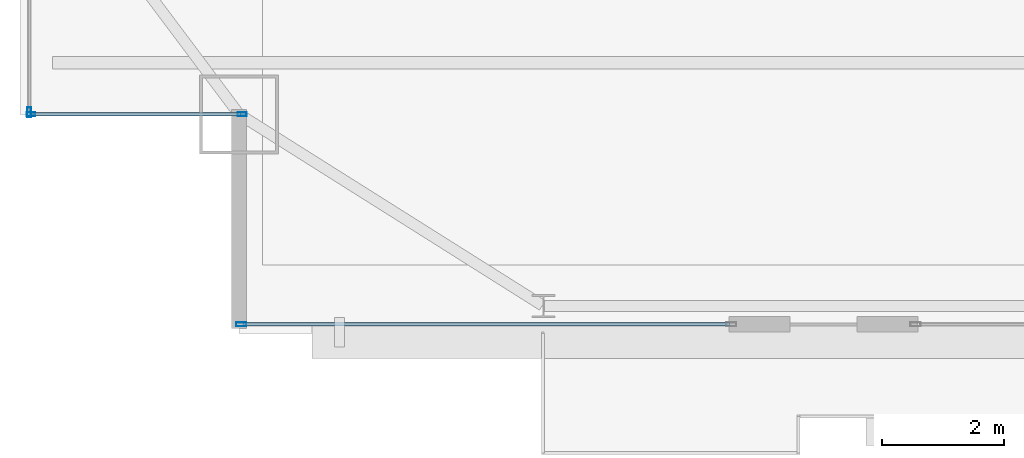
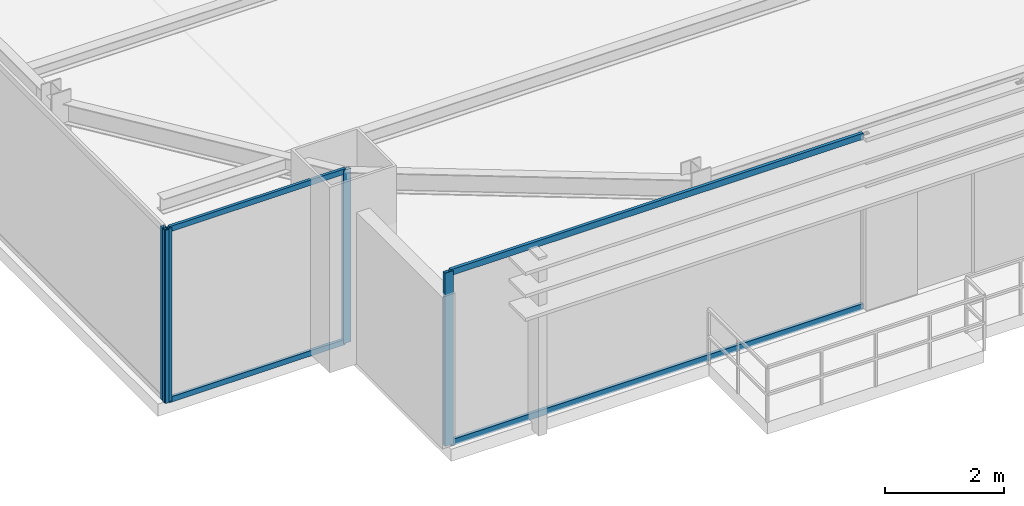
# One storey, part 4 of 31: 8 members, 3 elements without a shape of their own.
"""IFC4 building model written with IfcOpenShell, lengths in metres."""

from ifc_helpers import new_model, si_unit, direction, frame, origin, origin_2d, place, context, subcontext, project, spatial, hollow_rectangle, extrude, source, transform, mapped, material, layer, layer_set, material_profile, profile_set, type_object, type_shapes, element, aggregate, save


model = new_model("IFC4")

# Units and contexts
model_context = context("Model", 3, precision=1e-05, world=origin(), true_north=direction((0.0, 1.0)))
body_context = subcontext(model_context, "Body", "Model", "MODEL_VIEW")
ifc_project = project(units=[si_unit("LENGTHUNIT", "METRE"), si_unit("AREAUNIT", "SQUARE_METRE"), si_unit("VOLUMEUNIT", "CUBIC_METRE"), si_unit("PLANEANGLEUNIT", "RADIAN"), si_unit("MASSUNIT", "GRAM", prefix="KILO")], contexts=[model_context])

# Site, building, storey
site_placement = place(None, origin())
site = spatial("IfcSite", under=ifc_project, at=site_placement, CompositionType="ELEMENT")
building_placement = place(site_placement, origin())
building = spatial("IfcBuilding", under=site, at=building_placement, Name="Varnel Quay Broadcast Tower", CompositionType="ELEMENT")
storey_placement = place(building_placement, frame((0.0, 0.0, 157.199951171875)))
storey = spatial("IfcBuildingStorey", under=building, at=storey_placement, Name="L38", CompositionType="ELEMENT", Elevation=157.199951171875)

# Curtain wall, members
ifc_material = material(Name="Anodised Bronze Aluminium 6063-T6", Category="aluminium")
ifc_layer_1 = layer(ifc_material, 0.18994140625, Name="Anodised Bronze Aluminium 6063-T6")
ifc_layer_set_1 = layer_set([ifc_layer_1], Name="Anodised Bronze Aluminium 6063-T6")
curtain_wall_type_1 = type_object("IfcCurtainWallType", Name="CW_NotchCorner", PredefinedType="NOTDEFINED", material=ifc_layer_set_1)
curtain_wall_1_placement = place(storey_placement, origin())
curtain_wall_1 = element("IfcCurtainWall", 1, at=curtain_wall_1_placement, inside=storey, type_object=curtain_wall_type_1, Name="L38 SW Notch Curtain Wall", PredefinedType="NOTDEFINED")
ifc_material_profile_1 = material_profile(ifc_material, hollow_rectangle(XDim=0.054931640625, YDim=0.110107421875, WallThickness=0.0029296875, at=origin_2d()), Name="ALU55X110X3")
ifc_profile_set_1 = profile_set([ifc_material_profile_1], Name="Anodised Bronze Aluminium 6063-T6")
member_type_1 = type_object("IfcMemberType", Name="Tran_CWS-04", PredefinedType="USERDEFINED", material=ifc_profile_set_1)
shared_shape_1 = source(origin(), body_context, "Body", "SweptSolid", [
    extrude(hollow_rectangle(XDim=0.054931640625, YDim=0.110107421875, WallThickness=0.0029296875, at=origin_2d()), origin(), (0.0, 0.0, 1.0), 3.41015625),
])
type_shapes(member_type_1, [shared_shape_1])
member_1_placement = place(storey_placement, frame((7.2099609375, 10.800048828125, 0.027587890625), z_axis=(1.0, 0.0, 0.0), x_axis=(0.0, 1.0, 0.0)))
member_1 = element("IfcMember", 2, at=member_1_placement, type_object=member_type_1, Name="CWS-04 transom 1.1", ObjectType="TRANSOM", PredefinedType="USERDEFINED", context=body_context, shape_type="MappedRepresentation", body=[
    mapped(shared_shape_1, transform((0.0, 0.0, 0.0), x_axis=(1.0, 0.0, 0.0), y_axis=(0.0, 1.0, 0.0), z_axis=(0.0, 0.0, 1.0), scale=1.0)),
])
member_2_placement = place(storey_placement, frame((7.2099609375, 10.800048828125, 3.5224609375), z_axis=(1.0, 0.0, 0.0), x_axis=(0.0, 1.0, 0.0)))
member_2 = element("IfcMember", 3, at=member_2_placement, type_object=member_type_1, Name="CWS-04 transom 1.2", ObjectType="TRANSOM", PredefinedType="USERDEFINED", context=body_context, shape_type="MappedRepresentation", body=[
    mapped(shared_shape_1, transform((0.0, 0.0, 0.0), x_axis=(1.0, 0.0, 0.0), y_axis=(0.0, 1.0, 0.0), z_axis=(0.0, 0.0, 1.0), scale=1.0)),
])
ifc_material_profile_2 = material_profile(ifc_material, hollow_rectangle(XDim=0.06005859375, YDim=0.14501953125, WallThickness=0.00341796875, at=origin_2d()), Name="ALU60X145X3.5")
ifc_profile_set_2 = profile_set([ifc_material_profile_2], Name="Anodised Bronze Aluminium 6063-T6")
member_type_2 = type_object("IfcMemberType", Name="Mull_CWS-04", PredefinedType="MULLION", material=ifc_profile_set_2)
shared_shape_2 = source(origin(), body_context, "Body", "SweptSolid", [
    extrude(hollow_rectangle(XDim=0.06005859375, YDim=0.14501953125, WallThickness=0.00341796875, at=origin_2d()), origin(), (0.0, 0.0, 1.0), 3.550048828125),
])
type_shapes(member_type_2, [shared_shape_2])
member_3_placement = place(storey_placement, frame((7.179931640625, 10.800048828125, 0.0), z_axis=(0.0, 0.0, 1.0), x_axis=(0.0, 1.0, 0.0)))
member_3 = element("IfcMember", 4, at=member_3_placement, type_object=member_type_2, Name="CWS-04 mullion 1", PredefinedType="MULLION", context=body_context, shape_type="MappedRepresentation", body=[
    mapped(shared_shape_2, transform((0.0, 0.0, 0.0), x_axis=(1.0, 0.0, 0.0), y_axis=(0.0, 1.0, 0.0), z_axis=(0.0, 0.0, 1.0), scale=1.0)),
])
member_4_placement = place(storey_placement, frame((10.64990234375, 10.800048828125, 0.0), z_axis=(0.0, 0.0, 1.0), x_axis=(0.0, 1.0, 0.0)))
member_4 = element("IfcMember", 5, at=member_4_placement, type_object=member_type_2, Name="CWS-04 mullion 2", PredefinedType="MULLION", context=body_context, shape_type="MappedRepresentation", body=[
    mapped(shared_shape_2, transform((0.0, 0.0, 0.0), x_axis=(1.0, 0.0, 0.0), y_axis=(0.0, 1.0, 0.0), z_axis=(0.0, 0.0, 1.0), scale=1.0)),
])
aggregate(curtain_wall_1, [member_3, member_4, member_1, member_2])

# Curtain wall, member
ifc_layer_2 = layer(ifc_material, 0.18994140625, Name="Anodised Bronze Aluminium 6063-T6")
ifc_layer_set_2 = layer_set([ifc_layer_2], Name="Anodised Bronze Aluminium 6063-T6")
curtain_wall_type_2 = type_object("IfcCurtainWallType", Name="CW_UpperTower", PredefinedType="NOTDEFINED", material=ifc_layer_set_2)
curtain_wall_2_placement = place(storey_placement, origin())
curtain_wall_2 = element("IfcCurtainWall", 6, at=curtain_wall_2_placement, inside=storey, type_object=curtain_wall_type_2, Name="L38 South Unitised Curtain Wall 1", PredefinedType="NOTDEFINED")
ifc_material_profile_3 = material_profile(ifc_material, hollow_rectangle(XDim=0.06494140625, YDim=0.1650390625, WallThickness=0.00341796875, at=origin_2d()), Name="ALU65X165X3.5")
ifc_profile_set_3 = profile_set([ifc_material_profile_3], Name="Anodised Bronze Aluminium 6063-T6")
member_type_3 = type_object("IfcMemberType", Name="Mull_CWS-03", PredefinedType="MULLION", material=ifc_profile_set_3)
shared_shape_3 = source(origin(), body_context, "Body", "SweptSolid", [
    extrude(hollow_rectangle(XDim=0.06494140625, YDim=0.1650390625, WallThickness=0.00341796875, at=origin_2d()), origin(), (0.0, 0.0, 1.0), 3.550048828125),
])
type_shapes(member_type_3, [shared_shape_3])
member_5_placement = place(storey_placement, frame((10.632568359375, 7.35009765625, 0.0), z_axis=(0.0, 0.0, 1.0), x_axis=(0.0, 1.0, 0.0)))
member_5 = element("IfcMember", 7, at=member_5_placement, type_object=member_type_3, Name="CWS-03 mullion 1", PredefinedType="MULLION", context=body_context, shape_type="MappedRepresentation", body=[
    mapped(shared_shape_3, transform((0.0, 0.0, 0.0), x_axis=(1.0, 0.0, 0.0), y_axis=(0.0, 1.0, 0.0), z_axis=(0.0, 0.0, 1.0), scale=1.0)),
])

curtain_wall_3_placement = place(storey_placement, origin())
curtain_wall_3 = element("IfcCurtainWall", 8, at=curtain_wall_3_placement, inside=storey, type_object=curtain_wall_type_2, Name="L38 West Unitised Curtain Wall", PredefinedType="NOTDEFINED")
member_6_placement = place(storey_placement, frame((7.14990234375, 10.83251953125, 0.0), z_axis=(0.0, 0.0, 1.0), x_axis=(-1.0, 0.0, 0.0)))
member_6 = element("IfcMember", 9, at=member_6_placement, type_object=member_type_3, Name="CWS-03 mullion 1", PredefinedType="MULLION", context=body_context, shape_type="MappedRepresentation", body=[
    mapped(shared_shape_3, transform((0.0, 0.0, 0.0), x_axis=(1.0, 0.0, 0.0), y_axis=(0.0, 1.0, 0.0), z_axis=(0.0, 0.0, 1.0), scale=1.0)),
])
aggregate(curtain_wall_3, [member_6])

# Member
ifc_material_profile_4 = material_profile(ifc_material, hollow_rectangle(XDim=0.06005859375, YDim=0.125, WallThickness=0.0029296875, at=origin_2d()), Name="ALU60X125X3")
ifc_profile_set_4 = profile_set([ifc_material_profile_4], Name="Anodised Bronze Aluminium 6063-T6")
member_type_4 = type_object("IfcMemberType", Name="Tran_CWS-03", PredefinedType="USERDEFINED", material=ifc_profile_set_4)
shared_shape_4 = source(origin(), body_context, "Body", "SweptSolid", [
    extrude(hollow_rectangle(XDim=0.06005859375, YDim=0.125, WallThickness=0.0029296875, at=origin_2d()), origin(), (0.0, 0.0, 1.0), 7.989990234375),
])
type_shapes(member_type_4, [shared_shape_4])
member_7_placement = place(storey_placement, frame((10.6650390625, 7.35009765625, 0.030029296875), z_axis=(1.0, 0.0, 0.0), x_axis=(0.0, 1.0, 0.0)))
member_7 = element("IfcMember", 10, at=member_7_placement, type_object=member_type_4, Name="CWS-03 transom 1.1", ObjectType="TRANSOM", PredefinedType="USERDEFINED", context=body_context, shape_type="MappedRepresentation", body=[
    mapped(shared_shape_4, transform((0.0, 0.0, 0.0), x_axis=(1.0, 0.0, 0.0), y_axis=(0.0, 1.0, 0.0), z_axis=(0.0, 0.0, 1.0), scale=1.0)),
])

member_8_placement = place(storey_placement, frame((10.6650390625, 7.35009765625, 3.52001953125), z_axis=(1.0, 0.0, 0.0), x_axis=(0.0, 1.0, 0.0)))
member_8 = element("IfcMember", 11, at=member_8_placement, type_object=member_type_4, Name="CWS-03 transom 1.2", ObjectType="TRANSOM", PredefinedType="USERDEFINED", context=body_context, shape_type="MappedRepresentation", body=[
    mapped(shared_shape_4, transform((0.0, 0.0, 0.0), x_axis=(1.0, 0.0, 0.0), y_axis=(0.0, 1.0, 0.0), z_axis=(0.0, 0.0, 1.0), scale=1.0)),
])

aggregate(curtain_wall_2, [member_5, member_7, member_8])

save(model, "model.ifc")
